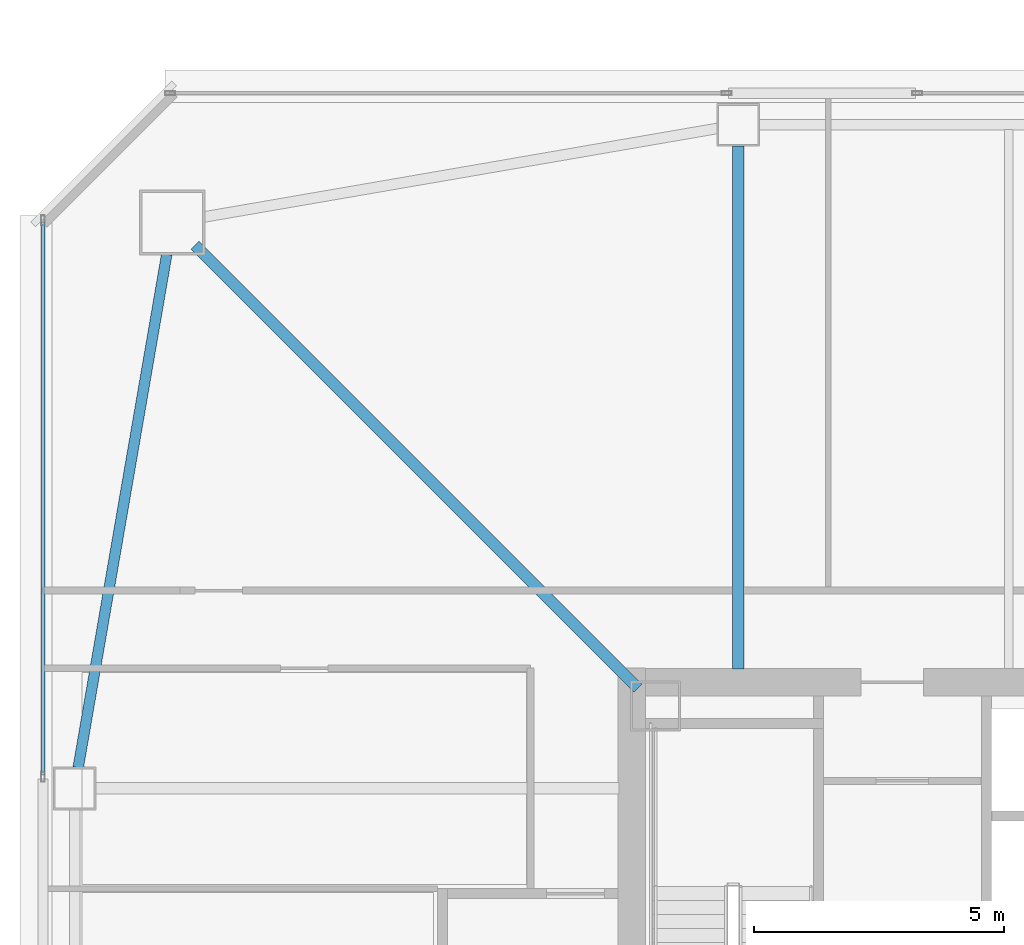
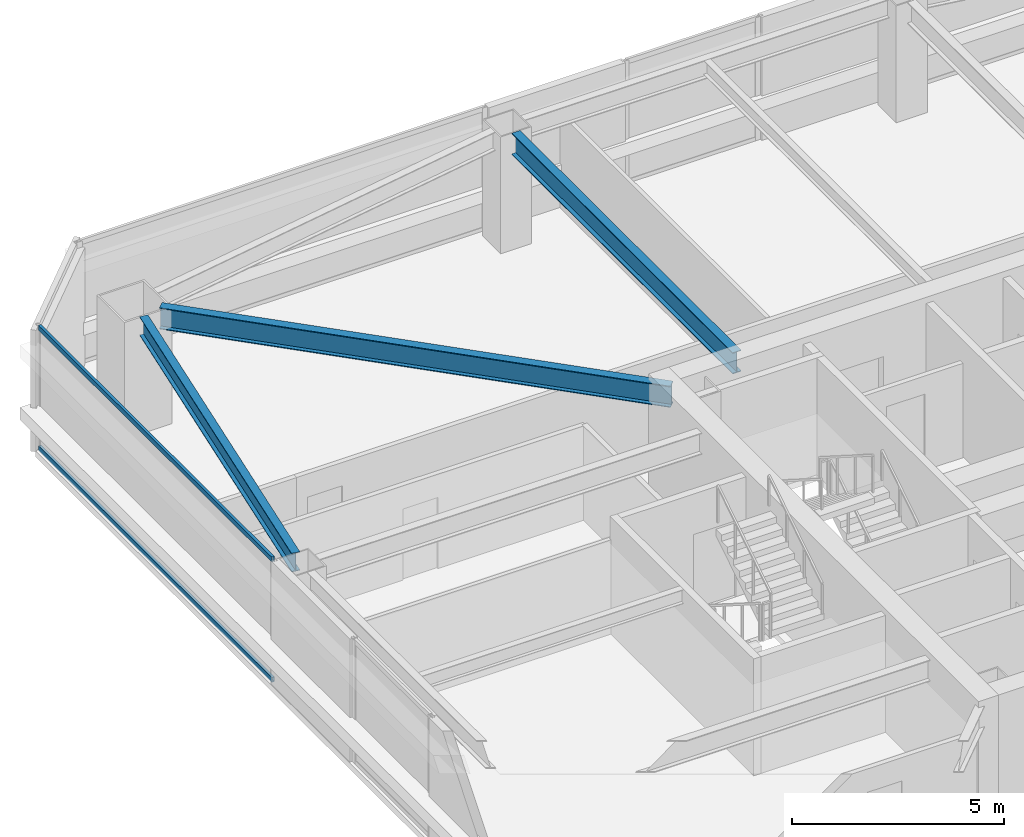
# One storey, part 11 of 42: 3 beams, 2 members, 1 element without a shape of its own.
"""IFC4 building model written with IfcOpenShell, lengths in metres."""

from ifc_helpers import new_model, si_unit, direction, frame, origin, origin_2d, place, context, subcontext, project, spatial, hollow_rectangle, i_section, extrude, material, material_profile, profile_set, type_object, element, aggregate, save


model = new_model("IFC4")

# Units and contexts
model_context = context("Model", 3, precision=1e-05, world=origin(), true_north=direction((0.0, 1.0)))
body_context = subcontext(model_context, "Body", "Model", "MODEL_VIEW")
ifc_project = project(units=[si_unit("LENGTHUNIT", "METRE"), si_unit("AREAUNIT", "SQUARE_METRE"), si_unit("VOLUMEUNIT", "CUBIC_METRE"), si_unit("PLANEANGLEUNIT", "RADIAN"), si_unit("MASSUNIT", "GRAM", prefix="KILO")], contexts=[model_context])

# Site, building, storey
site_placement = place(None, origin())
site = spatial("IfcSite", under=ifc_project, at=site_placement, CompositionType="ELEMENT")
building_placement = place(site_placement, origin())
building = spatial("IfcBuilding", under=site, at=building_placement, Name="Tashvorn Skyway Center", CompositionType="ELEMENT")
storey_placement = place(building_placement, frame((0.0, 0.0, 121.5)))
storey = spatial("IfcBuildingStorey", under=building, at=storey_placement, Name="L32", CompositionType="ELEMENT", Elevation=121.5)

# Beams
ifc_material_1 = material(Name="Steel ASTM A992 Grade 50", Category="steel")
ifc_material_profile_1 = material_profile(ifc_material_1, i_section(OverallWidth=0.22998046875, OverallDepth=0.616943359375, WebThickness=0.01318359375, FlangeThickness=0.022216796875, at=origin_2d()), Name="W24X94")
ifc_profile_set_1 = profile_set([ifc_material_profile_1], Name="Steel ASTM A992 Grade 50")
beam_type_1 = type_object("IfcBeamType", Name="BM-BEAM-W24X94", PredefinedType="BEAM", material=ifc_profile_set_1)
beam_1_placement = place(storey_placement, frame((25.756103515625, 48.243896484375, 3.0615234375), z_axis=(0.707106781187, -0.707106781187, 0.0), x_axis=(0.707106781187, 0.707106781187, 0.0)))
element("IfcBeam", 1, at=beam_1_placement, inside=storey, type_object=beam_type_1, Name="Tower 1 L32 Primary Floor Girder MC-NW", PredefinedType="BEAM", context=body_context, shape_type="SweptSolid", body=[
    extrude(i_section(OverallWidth=0.22998046875, OverallDepth=0.616943359375, WebThickness=0.01318359375, FlangeThickness=0.022216796875, at=origin_2d()), origin(), (0.0, 0.0, 1.0), 12.50732421875),
])
beam_2_placement = place(storey_placement, frame((36.60009765625, 50.22998046875, 3.0615234375), z_axis=(0.0, -1.0, 0.0), x_axis=(1.0, 0.0, 0.0)))
element("IfcBeam", 2, at=beam_2_placement, inside=storey, type_object=beam_type_1, Name="Tower 1 L32 Primary Floor Girder FC-N2", PredefinedType="BEAM", context=body_context, shape_type="SweptSolid", body=[
    extrude(i_section(OverallWidth=0.22998046875, OverallDepth=0.616943359375, WebThickness=0.01318359375, FlangeThickness=0.022216796875, at=origin_2d()), origin(), (0.0, 0.0, 1.0), 10.449951171875),
])
ifc_material_profile_2 = material_profile(ifc_material_1, i_section(OverallWidth=0.2109375, OverallDepth=0.5390625, WebThickness=0.01171875, FlangeThickness=0.018798828125, at=origin_2d()), Name="W21X73")
ifc_profile_set_2 = profile_set([ifc_material_profile_2], Name="Steel ASTM A992 Grade 50")
beam_type_2 = type_object("IfcBeamType", Name="BM-SPANDREL-W21X73", PredefinedType="SPANDREL", material=ifc_profile_set_2)
beam_3_placement = place(storey_placement, frame((25.1904296875, 48.064453125, 3.1005859375), z_axis=(-0.170067250846, -0.985432458462, 0.0), x_axis=(0.985432458462, -0.170067250846, 0.0)))
element("IfcBeam", 3, at=beam_3_placement, inside=storey, type_object=beam_type_2, Name="Tower 1 L32 Spandrel Beam 10", PredefinedType="SPANDREL", context=body_context, shape_type="SweptSolid", body=[
    extrude(i_section(OverallWidth=0.2109375, OverallDepth=0.5390625, WebThickness=0.01171875, FlangeThickness=0.018798828125, at=origin_2d()), origin(), (0.0, 0.0, 1.0), 10.402099609375),
])

# Curtain wall, members
ifc_material_2 = material(Name="Thermally broken bronze-anodized aluminium 6063-T6", Category="aluminium")
curtain_wall_type = type_object("IfcCurtainWallType", Name="CW-CW-Z3", PredefinedType="NOTDEFINED", material=ifc_material_2)
curtain_wall_placement = place(storey_placement, origin())
curtain_wall = element("IfcCurtainWall", 4, at=curtain_wall_placement, inside=storey, type_object=curtain_wall_type, Name="Tower 1 L32 West Unitised Curtain Wall Glazing Group 3", PredefinedType="NOTDEFINED")
ifc_material_profile_3 = material_profile(ifc_material_2, hollow_rectangle(XDim=0.074951171875, YDim=0.139892578125, WallThickness=0.004150390625, at=origin_2d()), Name="ALU-TRAN-75x140")
ifc_profile_set_3 = profile_set([ifc_material_profile_3], Name="Thermally broken bronze-anodized aluminium 6063-T6")
member_type = type_object("IfcMemberType", Name="CWT-CW-Z3", PredefinedType="USERDEFINED", material=ifc_profile_set_3)
member_1_placement = place(storey_placement, frame((22.719970703125, 37.668212890625, 0.03759765625), z_axis=(0.0, 1.0, 0.0), x_axis=(-1.0, 0.0, 0.0)))
member_1 = element("IfcMember", 5, at=member_1_placement, type_object=member_type, Name="CW-Z3 transom 1.1", ObjectType="TRANSOM", PredefinedType="USERDEFINED", context=body_context, shape_type="SweptSolid", body=[
    extrude(hollow_rectangle(XDim=0.074951171875, YDim=0.139892578125, WallThickness=0.004150390625, at=origin_2d()), origin(), (0.0, 0.0, 1.0), 11.036865234375),
])
member_2_placement = place(storey_placement, frame((22.719970703125, 37.668212890625, 3.512451171875), z_axis=(0.0, 1.0, 0.0), x_axis=(-1.0, 0.0, 0.0)))
member_2 = element("IfcMember", 6, at=member_2_placement, type_object=member_type, Name="CW-Z3 transom 1.2", ObjectType="TRANSOM", PredefinedType="USERDEFINED", context=body_context, shape_type="SweptSolid", body=[
    extrude(hollow_rectangle(XDim=0.074951171875, YDim=0.139892578125, WallThickness=0.004150390625, at=origin_2d()), origin(), (0.0, 0.0, 1.0), 11.036865234375),
])
aggregate(curtain_wall, [member_1, member_2])

save(model, "model.ifc")
